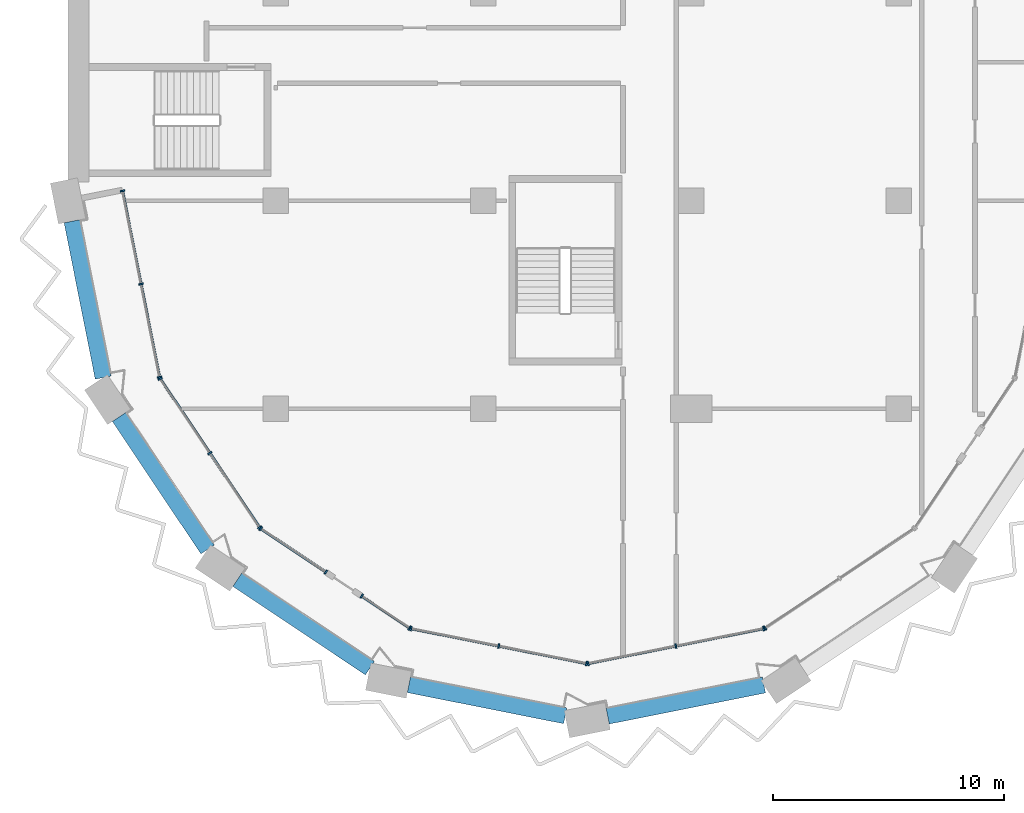
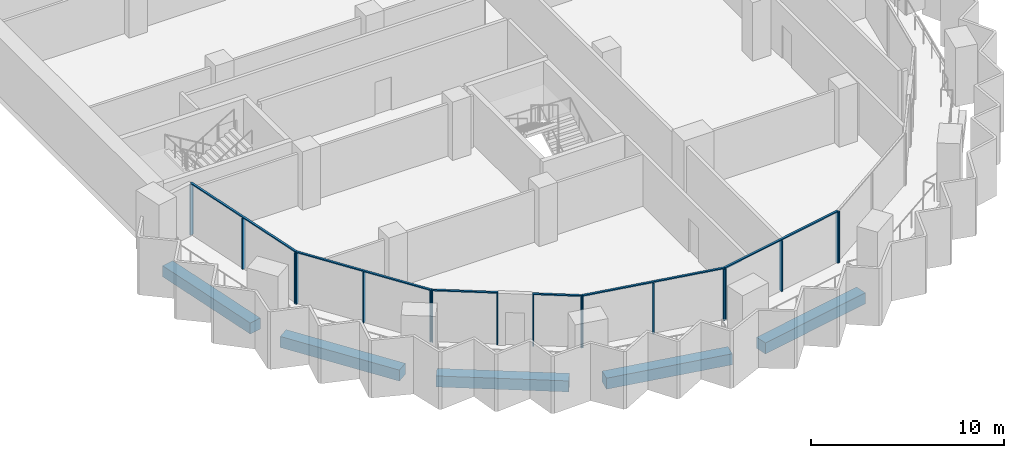
# One storey, part 2 of 17: 23 members, 5 beams, 7 elements without a shape of their own.
"""IFC4 building model written with IfcOpenShell, lengths in metres."""

from ifc_helpers import new_model, si_unit, direction, frame, origin, origin_2d, place, context, subcontext, project, spatial, rectangle, extrude, material, material_profile, profile_set, type_object, element, aggregate, save


model = new_model("IFC4")

# Units and contexts
model_context = context("Model", 3, precision=1e-05, world=origin(), true_north=direction((0.0, 1.0)))
body_context = subcontext(model_context, "Body", "Model", "MODEL_VIEW")
ifc_project = project(units=[si_unit("LENGTHUNIT", "METRE"), si_unit("AREAUNIT", "SQUARE_METRE"), si_unit("VOLUMEUNIT", "CUBIC_METRE"), si_unit("PLANEANGLEUNIT", "RADIAN"), si_unit("MASSUNIT", "GRAM", prefix="KILO")], contexts=[model_context])

# Site, building, storey
site_placement = place(None, origin())
site = spatial("IfcSite", under=ifc_project, at=site_placement, CompositionType="ELEMENT")
building_placement = place(site_placement, origin())
building = spatial("IfcBuilding", under=site, at=building_placement, Name="Hunhe Ridgeline Campus", CompositionType="ELEMENT")
storey_placement = place(building_placement, frame((0.0, 0.0, 193.89990234375)))
storey = spatial("IfcBuildingStorey", under=building, at=storey_placement, Name="L49", CompositionType="ELEMENT", Elevation=193.89990234375)

# Curtain wall, members
ifc_material_1 = material(Name="Aluminium 6063", Category="aluminium")
curtain_wall_type = type_object("IfcCurtainWallType", Name="Curtain wall CW-5", PredefinedType="NOTDEFINED", material=ifc_material_1)
curtain_wall_1_placement = place(storey_placement, origin())
curtain_wall_1 = element("IfcCurtainWall", 1, at=curtain_wall_1_placement, inside=storey, type_object=curtain_wall_type, Name="Curtain wall 01", PredefinedType="NOTDEFINED")
ifc_material_profile_1 = material_profile(ifc_material_1, rectangle(XDim=0.199951171875, YDim=0.070068359375, at=origin_2d()))
ifc_profile_set_1 = profile_set([ifc_material_profile_1], Name="Aluminium 6063")
member_type_1 = type_object("IfcMemberType", Name="CW-5 aluminium mullion", PredefinedType="MULLION", material=ifc_profile_set_1)
member_1_placement = place(storey_placement, frame((2.361572265625, 36.434326171875, 0.0), z_axis=(0.0, 0.0, 1.0), x_axis=(0.980784280831, 0.195095347137, 0.0)))
member_1 = element("IfcMember", 2, at=member_1_placement, type_object=member_type_1, Name="CW-5 mullion 1", PredefinedType="MULLION", context=body_context, shape_type="SweptSolid", body=[
    extrude(rectangle(XDim=0.199951171875, YDim=0.070068359375, at=origin_2d()), origin(), (0.0, 0.0, 1.0), 3.22998046875),
])
member_2_placement = place(storey_placement, frame((3.16455078125, 32.3974609375, 0.0), z_axis=(0.0, 0.0, 1.0), x_axis=(0.980784280831, 0.195095347137, 0.0)))
member_2 = element("IfcMember", 3, at=member_2_placement, type_object=member_type_1, Name="CW-5 mullion 2", PredefinedType="MULLION", context=body_context, shape_type="SweptSolid", body=[
    extrude(rectangle(XDim=0.199951171875, YDim=0.070068359375, at=origin_2d()), origin(), (0.0, 0.0, 1.0), 3.22998046875),
])
member_3_placement = place(storey_placement, frame((3.967529296875, 28.36083984375, 0.0), z_axis=(0.0, 0.0, 1.0), x_axis=(0.980784280831, 0.195095347137, 0.0)))
member_3 = element("IfcMember", 4, at=member_3_placement, type_object=member_type_1, Name="CW-5 mullion 3", PredefinedType="MULLION", context=body_context, shape_type="SweptSolid", body=[
    extrude(rectangle(XDim=0.199951171875, YDim=0.070068359375, at=origin_2d()), origin(), (0.0, 0.0, 1.0), 3.22998046875),
])

curtain_wall_2_placement = place(storey_placement, origin())
curtain_wall_2 = element("IfcCurtainWall", 5, at=curtain_wall_2_placement, inside=storey, type_object=curtain_wall_type, Name="Curtain wall 02", PredefinedType="NOTDEFINED")
member_4_placement = place(storey_placement, frame((3.993896484375, 28.29736328125, 0.0), z_axis=(0.0, 0.0, 1.0), x_axis=(0.831469584522, 0.555570274596, 0.0)))
member_4 = element("IfcMember", 6, at=member_4_placement, type_object=member_type_1, Name="CW-5 mullion 1", PredefinedType="MULLION", context=body_context, shape_type="SweptSolid", body=[
    extrude(rectangle(XDim=0.199951171875, YDim=0.070068359375, at=origin_2d()), origin(), (0.0, 0.0, 1.0), 3.22998046875),
])
member_5_placement = place(storey_placement, frame((6.147705078125, 25.07373046875, 0.0), z_axis=(0.0, 0.0, 1.0), x_axis=(0.831469584522, 0.555570274596, 0.0)))
member_5 = element("IfcMember", 7, at=member_5_placement, type_object=member_type_1, Name="CW-5 mullion 2", PredefinedType="MULLION", context=body_context, shape_type="SweptSolid", body=[
    extrude(rectangle(XDim=0.199951171875, YDim=0.070068359375, at=origin_2d()), origin(), (0.0, 0.0, 1.0), 3.22998046875),
])
member_6_placement = place(storey_placement, frame((8.3017578125, 21.850341796875, 0.0), z_axis=(0.0, 0.0, 1.0), x_axis=(0.831469584522, 0.555570274596, 0.0)))
member_6 = element("IfcMember", 8, at=member_6_placement, type_object=member_type_1, Name="CW-5 mullion 3", PredefinedType="MULLION", context=body_context, shape_type="SweptSolid", body=[
    extrude(rectangle(XDim=0.199951171875, YDim=0.070068359375, at=origin_2d()), origin(), (0.0, 0.0, 1.0), 3.22998046875),
])

curtain_wall_3_placement = place(storey_placement, origin())
curtain_wall_3 = element("IfcCurtainWall", 9, at=curtain_wall_3_placement, inside=storey, type_object=curtain_wall_type, Name="Curtain wall 03", PredefinedType="NOTDEFINED")
member_7_placement = place(storey_placement, frame((8.350341796875, 21.8017578125, 0.0), z_axis=(0.0, 0.0, 1.0), x_axis=(0.555570257501, 0.831469595944, 0.0)))
member_7 = element("IfcMember", 10, at=member_7_placement, type_object=member_type_1, Name="CW-5 mullion 1", PredefinedType="MULLION", context=body_context, shape_type="SweptSolid", body=[
    extrude(rectangle(XDim=0.199951171875, YDim=0.070068359375, at=origin_2d()), origin(), (0.0, 0.0, 1.0), 3.22998046875),
])
member_8_placement = place(storey_placement, frame((11.17041015625, 19.917236328125, 0.0), z_axis=(0.0, 0.0, 1.0), x_axis=(0.555570257501, 0.831469595944, 0.0)))
member_8 = element("IfcMember", 11, at=member_8_placement, type_object=member_type_1, Name="CW-5 mullion 2", PredefinedType="MULLION", context=body_context, shape_type="SweptSolid", body=[
    extrude(rectangle(XDim=0.199951171875, YDim=0.070068359375, at=origin_2d()), origin(), (0.0, 0.0, 1.0), 3.22998046875),
])

curtain_wall_4_placement = place(storey_placement, origin())
curtain_wall_4 = element("IfcCurtainWall", 12, at=curtain_wall_4_placement, inside=storey, type_object=curtain_wall_type, Name="Curtain wall 04", PredefinedType="NOTDEFINED")
member_9_placement = place(storey_placement, frame((12.725341796875, 18.87841796875, 0.0), z_axis=(0.0, 0.0, 1.0), x_axis=(0.555570385598, 0.831469510353, 0.0)))
member_9 = element("IfcMember", 13, at=member_9_placement, type_object=member_type_1, Name="CW-5 mullion 1", PredefinedType="MULLION", context=body_context, shape_type="SweptSolid", body=[
    extrude(rectangle(XDim=0.199951171875, YDim=0.070068359375, at=origin_2d()), origin(), (0.0, 0.0, 1.0), 3.22998046875),
])
member_10_placement = place(storey_placement, frame((14.79736328125, 17.493896484375, 0.0), z_axis=(0.0, 0.0, 1.0), x_axis=(0.555570385598, 0.831469510353, 0.0)))
member_10 = element("IfcMember", 14, at=member_10_placement, type_object=member_type_1, Name="CW-5 mullion 2", PredefinedType="MULLION", context=body_context, shape_type="SweptSolid", body=[
    extrude(rectangle(XDim=0.199951171875, YDim=0.070068359375, at=origin_2d()), origin(), (0.0, 0.0, 1.0), 3.22998046875),
])

curtain_wall_5_placement = place(storey_placement, origin())
curtain_wall_5 = element("IfcCurtainWall", 15, at=curtain_wall_5_placement, inside=storey, type_object=curtain_wall_type, Name="Curtain wall 05", PredefinedType="NOTDEFINED")
member_11_placement = place(storey_placement, frame((14.86083984375, 17.467529296875, 0.0), z_axis=(0.0, 0.0, 1.0), x_axis=(0.195090347539, 0.980785275326, 0.0)))
member_11 = element("IfcMember", 16, at=member_11_placement, type_object=member_type_1, Name="CW-5 mullion 1", PredefinedType="MULLION", context=body_context, shape_type="SweptSolid", body=[
    extrude(rectangle(XDim=0.199951171875, YDim=0.070068359375, at=origin_2d()), origin(), (0.0, 0.0, 1.0), 3.22998046875),
])
member_12_placement = place(storey_placement, frame((18.663330078125, 16.711181640625, 0.0), z_axis=(0.0, 0.0, 1.0), x_axis=(0.195090347539, 0.980785275326, 0.0)))
member_12 = element("IfcMember", 17, at=member_12_placement, type_object=member_type_1, Name="CW-5 mullion 2", PredefinedType="MULLION", context=body_context, shape_type="SweptSolid", body=[
    extrude(rectangle(XDim=0.199951171875, YDim=0.070068359375, at=origin_2d()), origin(), (0.0, 0.0, 1.0), 3.22998046875),
])
member_13_placement = place(storey_placement, frame((22.465576171875, 15.954833984375, 0.0), z_axis=(0.0, 0.0, 1.0), x_axis=(0.195090347539, 0.980785275326, 0.0)))
member_13 = element("IfcMember", 18, at=member_13_placement, type_object=member_type_1, Name="CW-5 mullion 3", PredefinedType="MULLION", context=body_context, shape_type="SweptSolid", body=[
    extrude(rectangle(XDim=0.199951171875, YDim=0.070068359375, at=origin_2d()), origin(), (0.0, 0.0, 1.0), 3.22998046875),
])

curtain_wall_6_placement = place(storey_placement, origin())
curtain_wall_6 = element("IfcCurtainWall", 19, at=curtain_wall_6_placement, inside=storey, type_object=curtain_wall_type, Name="Curtain wall 06", PredefinedType="NOTDEFINED")
member_14_placement = place(storey_placement, frame((22.534423828125, 15.954833984375, 0.0), z_axis=(0.0, 0.0, 1.0), x_axis=(-0.195090347539, 0.980785275326, 0.0)))
member_14 = element("IfcMember", 20, at=member_14_placement, type_object=member_type_1, Name="CW-5 mullion 1", PredefinedType="MULLION", context=body_context, shape_type="SweptSolid", body=[
    extrude(rectangle(XDim=0.199951171875, YDim=0.070068359375, at=origin_2d()), origin(), (0.0, 0.0, 1.0), 3.22998046875),
])
member_15_placement = place(storey_placement, frame((26.336669921875, 16.711181640625, 0.0), z_axis=(0.0, 0.0, 1.0), x_axis=(-0.195090347539, 0.980785275326, 0.0)))
member_15 = element("IfcMember", 21, at=member_15_placement, type_object=member_type_1, Name="CW-5 mullion 2", PredefinedType="MULLION", context=body_context, shape_type="SweptSolid", body=[
    extrude(rectangle(XDim=0.199951171875, YDim=0.070068359375, at=origin_2d()), origin(), (0.0, 0.0, 1.0), 3.22998046875),
])
member_16_placement = place(storey_placement, frame((30.13916015625, 17.467529296875, 0.0), z_axis=(0.0, 0.0, 1.0), x_axis=(-0.195090347539, 0.980785275326, 0.0)))
member_16 = element("IfcMember", 22, at=member_16_placement, type_object=member_type_1, Name="CW-5 mullion 3", PredefinedType="MULLION", context=body_context, shape_type="SweptSolid", body=[
    extrude(rectangle(XDim=0.199951171875, YDim=0.070068359375, at=origin_2d()), origin(), (0.0, 0.0, 1.0), 3.22998046875),
])

# Curtain wall, member
curtain_wall_7_placement = place(storey_placement, origin())
curtain_wall_7 = element("IfcCurtainWall", 23, at=curtain_wall_7_placement, inside=storey, type_object=curtain_wall_type, Name="Curtain wall 07", PredefinedType="NOTDEFINED")
member_17_placement = place(storey_placement, frame((30.20263671875, 17.493896484375, 0.0), z_axis=(0.0, 0.0, 1.0), x_axis=(-0.555570274596, 0.831469584522, 0.0)))
member_17 = element("IfcMember", 24, at=member_17_placement, type_object=member_type_1, Name="CW-5 mullion 1", PredefinedType="MULLION", context=body_context, shape_type="SweptSolid", body=[
    extrude(rectangle(XDim=0.199951171875, YDim=0.070068359375, at=origin_2d()), origin(), (0.0, 0.0, 1.0), 3.22998046875),
])
aggregate(curtain_wall_7, [member_17])

# Member
ifc_material_profile_2 = material_profile(ifc_material_1, rectangle(XDim=0.1201171875, YDim=0.070068359375, at=origin_2d()))
ifc_profile_set_2 = profile_set([ifc_material_profile_2], Name="Aluminium 6063")
member_type_2 = type_object("IfcMemberType", Name="CW-5 aluminium transom", PredefinedType="USERDEFINED", material=ifc_profile_set_2)
member_18_placement = place(storey_placement, frame((2.354736328125, 36.46875, 3.26513671875), z_axis=(0.195092405068, -0.980784866056, 0.0), x_axis=(0.980784866056, 0.195092405068, 0.0)))
member_18 = element("IfcMember", 25, at=member_18_placement, type_object=member_type_2, Name="CW-5 transom 1", ObjectType="TRANSOM", PredefinedType="USERDEFINED", context=body_context, shape_type="SweptSolid", body=[
    extrude(rectangle(XDim=0.1201171875, YDim=0.070068359375, at=origin_2d()), origin(), (0.0, 0.0, 1.0), 8.3017578125),
])

aggregate(curtain_wall_1, [member_18, member_1, member_2, member_3])

member_19_placement = place(storey_placement, frame((3.974365234375, 28.326416015625, 3.26513671875), z_axis=(0.5555640203, -0.831473763475, 0.0), x_axis=(0.831473763475, 0.5555640203, 0.0)))
member_19 = element("IfcMember", 26, at=member_19_placement, type_object=member_type_2, Name="CW-5 transom 1", ObjectType="TRANSOM", PredefinedType="USERDEFINED", context=body_context, shape_type="SweptSolid", body=[
    extrude(rectangle(XDim=0.1201171875, YDim=0.070068359375, at=origin_2d()), origin(), (0.0, 0.0, 1.0), 7.823974609375),
])

aggregate(curtain_wall_2, [member_19, member_4, member_5, member_6])

member_20_placement = place(storey_placement, frame((8.321044921875, 21.821044921875, 3.26513671875), z_axis=(0.831485714606, -0.555546133463, 0.0), x_axis=(0.555546133463, 0.831485714606, 0.0)))
member_20 = element("IfcMember", 27, at=member_20_placement, type_object=member_type_2, Name="CW-5 transom 1", ObjectType="TRANSOM", PredefinedType="USERDEFINED", context=body_context, shape_type="SweptSolid", body=[
    extrude(rectangle(XDim=0.1201171875, YDim=0.070068359375, at=origin_2d()), origin(), (0.0, 0.0, 1.0), 3.462158203125),
])

aggregate(curtain_wall_3, [member_20, member_7, member_8])

member_21_placement = place(storey_placement, frame((12.6962890625, 18.897705078125, 3.26513671875), z_axis=(0.831463388334, -0.555579547735, 0.0), x_axis=(0.555579547735, 0.831463388334, 0.0)))
member_21 = element("IfcMember", 28, at=member_21_placement, type_object=member_type_2, Name="CW-5 transom 1", ObjectType="TRANSOM", PredefinedType="USERDEFINED", context=body_context, shape_type="SweptSolid", body=[
    extrude(rectangle(XDim=0.1201171875, YDim=0.070068359375, at=origin_2d()), origin(), (0.0, 0.0, 1.0), 2.56201171875),
])

aggregate(curtain_wall_4, [member_21, member_9, member_10])

member_22_placement = place(storey_placement, frame((14.826416015625, 17.474365234375, 3.26513671875), z_axis=(0.980785367689, -0.195089883198, 0.0), x_axis=(0.195089883198, 0.980785367689, 0.0)))
member_22 = element("IfcMember", 29, at=member_22_placement, type_object=member_type_2, Name="CW-5 transom 1", ObjectType="TRANSOM", PredefinedType="USERDEFINED", context=body_context, shape_type="SweptSolid", body=[
    extrude(rectangle(XDim=0.1201171875, YDim=0.070068359375, at=origin_2d()), origin(), (0.0, 0.0, 1.0), 7.823974609375),
])

aggregate(curtain_wall_5, [member_22, member_11, member_12, member_13])

member_23_placement = place(storey_placement, frame((22.5, 15.947998046875, 3.26513671875), z_axis=(0.980785367689, 0.195089883198, 0.0), x_axis=(-0.195089883198, 0.980785367689, 0.0)))
member_23 = element("IfcMember", 30, at=member_23_placement, type_object=member_type_2, Name="CW-5 transom 1", ObjectType="TRANSOM", PredefinedType="USERDEFINED", context=body_context, shape_type="SweptSolid", body=[
    extrude(rectangle(XDim=0.1201171875, YDim=0.070068359375, at=origin_2d()), origin(), (0.0, 0.0, 1.0), 7.823974609375),
])

aggregate(curtain_wall_6, [member_23, member_14, member_15, member_16])

# Beams
ifc_material_2 = material(Name="Concrete C50", Category="concrete")
ifc_material_profile_3 = material_profile(ifc_material_2, rectangle(XDim=0.699951171875, YDim=0.699951171875, at=origin_2d()))
ifc_profile_set_3 = profile_set([ifc_material_profile_3], Name="Concrete C50")
beam_type = type_object("IfcBeamType", Name="RC spandrel beam 700x700 Concrete C50", PredefinedType="SPANDREL", material=ifc_profile_set_3)
for number, where, z_axis, x_axis, name in (
    (31, (0.175537109375, 35.1171875, -0.599853515625), (0.195102900975, -0.980782778209, 0.0), (0.980782778209, 0.195102900975, 0.0), "Spandrel beam B3-1 L49"),
    (32, (2.212646484375, 26.641357421875, -0.599853515625), (0.55557295, -0.831467796868, 0.0), (0.831467796868, 0.55557295, 0.0), "Spandrel beam B3-2 L49"),
    (33, (7.33837890625, 19.590087890625, -0.599853515625), (0.831467796868, -0.55557295, 0.0), (0.55557295, 0.831467796868, 0.0), "Spandrel beam B3-3 L49"),
    (34, (14.772216796875, 15.037109375, -0.599853515625), (0.980784124029, -0.195096135414, 0.0), (0.195096135414, 0.980784124029, 0.0), "Spandrel beam B3-4 L49"),
    (35, (23.3828125, 13.675537109375, -0.599853515625), (0.980782778209, 0.195102900975, 0.0), (-0.195102900975, 0.980782778209, 0.0), "Spandrel beam B3-5 L49"),
):
    element("IfcBeam", number, at=place(storey_placement, frame(where, z_axis=z_axis, x_axis=x_axis)), inside=storey, type_object=beam_type, Name=name, PredefinedType="SPANDREL", context=body_context, shape_type="SweptSolid", body=[
        extrude(rectangle(XDim=0.699951171875, YDim=0.699951171875, at=origin_2d()), origin(), (0.0, 0.0, 1.0), 6.905029296875),
    ])

save(model, "model.ifc")
